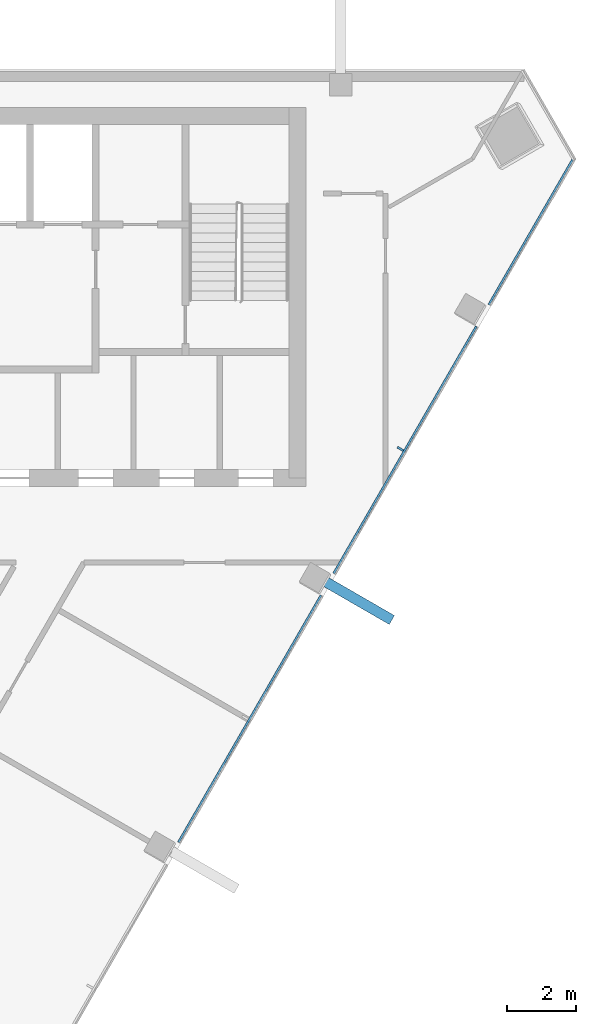
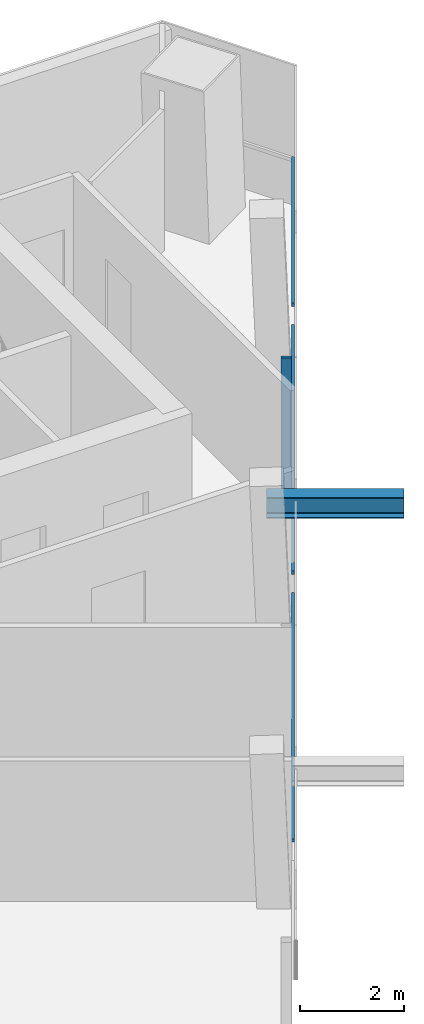
# One storey, part 4 of 9: 5 members, 1 element without a shape of its own.
"""IFC4 building model written with IfcOpenShell, lengths in metres."""

from ifc_helpers import new_model, si_unit, direction, frame, origin, origin_2d, place, context, subcontext, project, spatial, rectangle, i_section, extrude, material, layer, layer_set, material_profile, profile_set, type_object, element, aggregate, save


model = new_model("IFC4")

# Units and contexts
model_context = context("Model", 3, precision=1e-05, world=origin(), true_north=direction((0.0, 1.0)))
body_context = subcontext(model_context, "Body", "Model", "MODEL_VIEW")
ifc_project = project(units=[si_unit("LENGTHUNIT", "METRE"), si_unit("AREAUNIT", "SQUARE_METRE"), si_unit("VOLUMEUNIT", "CUBIC_METRE"), si_unit("PLANEANGLEUNIT", "RADIAN"), si_unit("MASSUNIT", "GRAM", prefix="KILO")], contexts=[model_context])

# Site, building, storey
site_placement = place(None, origin())
site = spatial("IfcSite", under=ifc_project, at=site_placement, CompositionType="ELEMENT")
building_placement = place(site_placement, origin())
building = spatial("IfcBuilding", under=site, at=building_placement, Name="Altiplano Prism Tower", CompositionType="ELEMENT")
storey_placement = place(building_placement, frame((0.0, 0.0, 354.39990234375)))
storey = spatial("IfcBuildingStorey", under=building, at=storey_placement, Name="L92", CompositionType="ELEMENT", Elevation=354.39990234375)

# Member
ifc_material_1 = material(Name="Steel S355", Category="steel")
ifc_material_profile_1 = material_profile(ifc_material_1, i_section(OverallWidth=0.300048828125, OverallDepth=0.5, WebThickness=0.014404296875, FlangeThickness=0.028076171875, FilletRadius=0.027099609375, at=origin_2d()), Name="Brace bracket HEB 500")
ifc_profile_set_1 = profile_set([ifc_material_profile_1], Name="Steel S355")
member_type_1 = type_object("IfcMemberType", Name="Brace bracket HEB 500", PredefinedType="STRUT", material=ifc_profile_set_1)
member_1_placement = place(storey_placement, frame((97.692138671875, 90.360595703125, 2.9501953125), z_axis=(0.866052124492, -0.499953715521, 0.0), x_axis=(0.499953715521, 0.866052124492, 0.0)))
element("IfcMember", 1, at=member_1_placement, inside=storey, type_object=member_type_1, Name="Brace bracket 2.358", PredefinedType="STRUT", context=body_context, shape_type="SweptSolid", body=[
    extrude(i_section(OverallWidth=0.300048828125, OverallDepth=0.5, WebThickness=0.014404296875, FlangeThickness=0.028076171875, FilletRadius=0.027099609375, at=origin_2d()), origin(), (0.0, 0.0, 1.0), 2.650146484375),
])

# Curtain wall, members
ifc_material_2 = material(Name="Aluminium and glass", Category="aluminium")
ifc_layer = layer(ifc_material_2, 0.303955078125)
ifc_layer_set = layer_set([ifc_layer], Name="Aluminium and glass")
curtain_wall_type = type_object("IfcCurtainWallType", Name="CW2 lounge-band unitised glazing", PredefinedType="NOTDEFINED", material=ifc_layer_set)
curtain_wall_placement = place(storey_placement, origin())
curtain_wall = element("IfcCurtainWall", 2, at=curtain_wall_placement, inside=storey, type_object=curtain_wall_type, Name="CW2 curtain wall south-east face L92", PredefinedType="NOTDEFINED")
ifc_material_3 = material(Name="Aluminium", Category="aluminium")
ifc_material_profile_2 = material_profile(ifc_material_3, rectangle(XDim=0.199951171875, YDim=0.06005859375, at=origin_2d()), Name="CW2 mullion 60 x 200")
ifc_profile_set_2 = profile_set([ifc_material_profile_2], Name="Aluminium")
member_type_2 = type_object("IfcMemberType", Name="CW2 mullion 60 x 200", PredefinedType="MULLION", material=ifc_profile_set_2)
member_2_placement = place(storey_placement, frame((100.2353515625, 93.996337890625, 0.0), z_axis=(0.0, 0.0, 1.0), x_axis=(-0.86602540861, 0.499999991641, 0.0)))
member_2 = element("IfcMember", 3, at=member_2_placement, type_object=member_type_2, Name="CW2 mullion", PredefinedType="MULLION", context=body_context, shape_type="SweptSolid", body=[
    extrude(rectangle(XDim=0.199951171875, YDim=0.06005859375, at=origin_2d()), origin(), (0.0, 0.0, 1.0), 3.300048828125),
])
ifc_material_profile_3 = material_profile(ifc_material_3, rectangle(XDim=0.06005859375, YDim=0.080078125, at=origin_2d()), Name="CW2 transom 80 x 60")
ifc_profile_set_3 = profile_set([ifc_material_profile_3], Name="Aluminium")
member_type_3 = type_object("IfcMemberType", Name="CW2 transom 80 x 60", PredefinedType="USERDEFINED", material=ifc_profile_set_3)
member_3_placement = place(storey_placement, frame((93.800048828125, 82.59033203125, 1.10009765625), z_axis=(0.50000951748, 0.866019908795, 0.0), x_axis=(-0.866019908795, 0.50000951748, 0.0)))
member_3 = element("IfcMember", 4, at=member_3_placement, type_object=member_type_3, Name="CW2 transom", ObjectType="TRANSOM", PredefinedType="USERDEFINED", context=body_context, shape_type="SweptSolid", body=[
    extrude(rectangle(XDim=0.06005859375, YDim=0.080078125, at=origin_2d()), origin(), (0.0, 0.0, 1.0), 8.269775390625),
])
member_4_placement = place(storey_placement, frame((98.300048828125, 90.384521484375, 1.10009765625), z_axis=(0.50000951748, 0.866019908795, 0.0), x_axis=(-0.866019908795, 0.50000951748, 0.0)))
member_4 = element("IfcMember", 5, at=member_4_placement, type_object=member_type_3, Name="CW2 transom", ObjectType="TRANSOM", PredefinedType="USERDEFINED", context=body_context, shape_type="SweptSolid", body=[
    extrude(rectangle(XDim=0.06005859375, YDim=0.080078125, at=origin_2d()), origin(), (0.0, 0.0, 1.0), 8.269775390625),
])
member_5_placement = place(storey_placement, frame((102.800048828125, 98.1787109375, 1.10009765625), z_axis=(0.500008851346, 0.866020293397, 0.0), x_axis=(-0.866020293397, 0.500008851346, 0.0)))
member_5 = element("IfcMember", 6, at=member_5_placement, type_object=member_type_3, Name="CW2 transom", ObjectType="TRANSOM", PredefinedType="USERDEFINED", context=body_context, shape_type="SweptSolid", body=[
    extrude(rectangle(XDim=0.06005859375, YDim=0.080078125, at=origin_2d()), origin(), (0.0, 0.0, 1.0), 4.91943359375),
])
aggregate(curtain_wall, [member_3, member_2, member_4, member_5])

save(model, "model.ifc")
